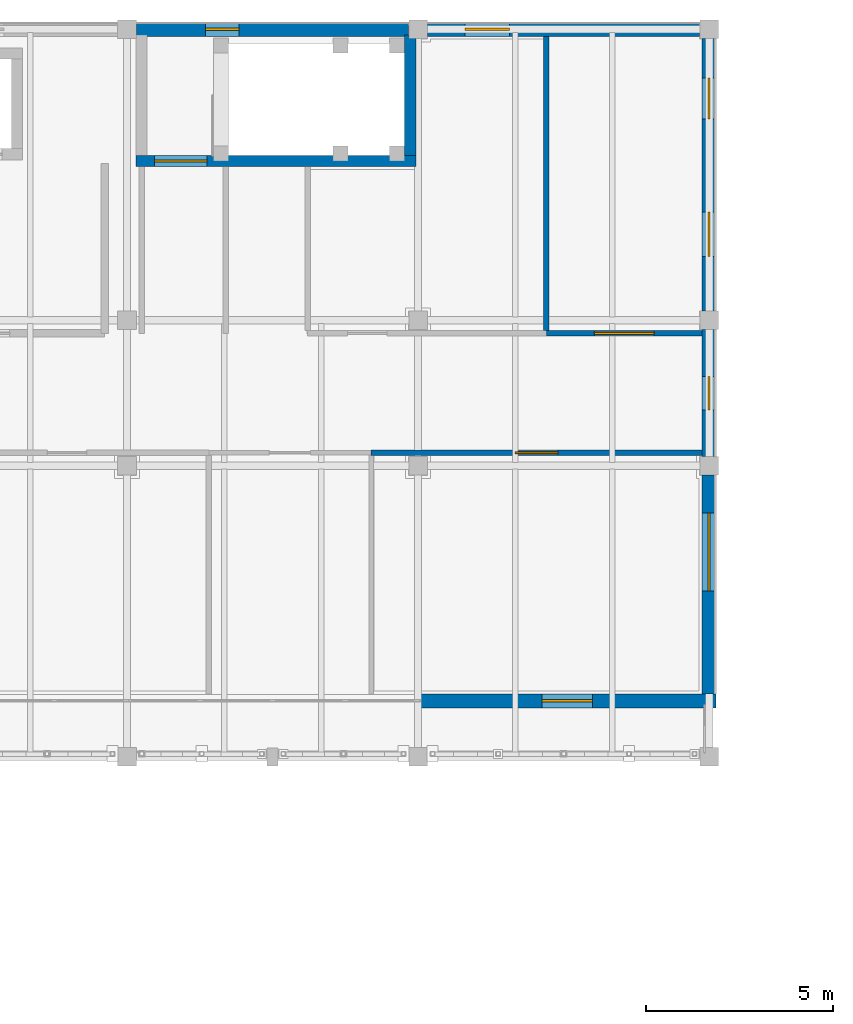
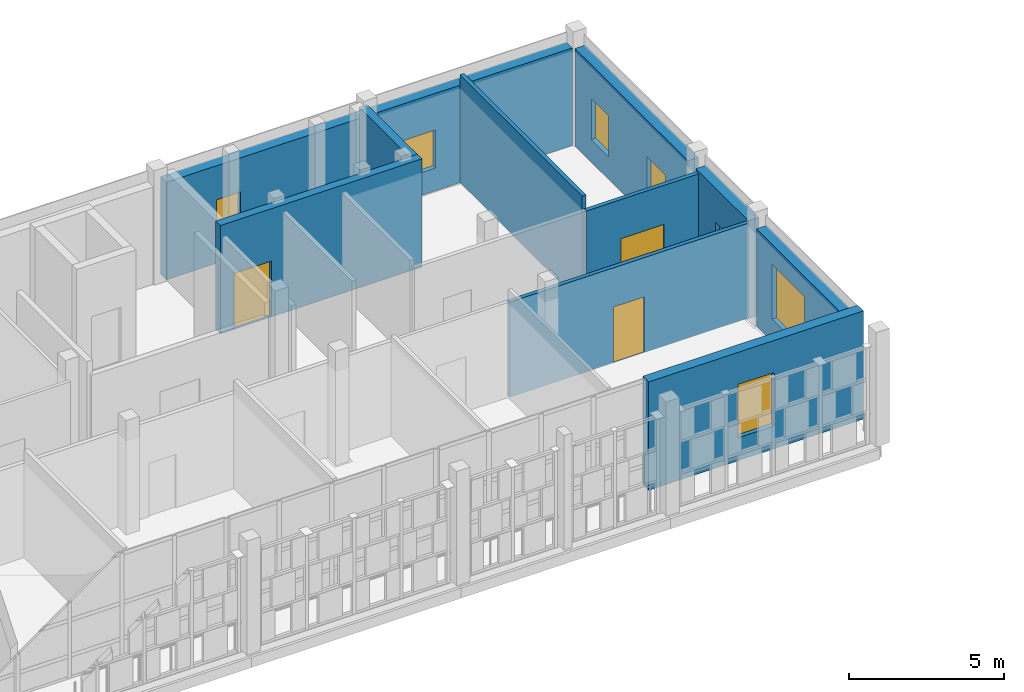
# One storey, part 72 of 89: 11 walls, 7 windows, 3 doors, 10 openings.
"""IFC4 building model written with IfcOpenShell, lengths in metres."""

from ifc_helpers import new_model, si_unit, direction, frame, frame_2d, origin, place, context, subcontext, project, spatial, rectangle, extrude, material, layer, layer_set, type_object, element, fill, save


model = new_model("IFC4")

# Units and contexts
model_context = context("Model", 3, precision=1e-05, world=origin(), true_north=direction((0.0, 1.0)))
body_context = subcontext(model_context, "Body", "Model", "MODEL_VIEW")
ifc_project = project(units=[si_unit("LENGTHUNIT", "METRE"), si_unit("AREAUNIT", "SQUARE_METRE"), si_unit("VOLUMEUNIT", "CUBIC_METRE"), si_unit("PLANEANGLEUNIT", "RADIAN"), si_unit("MASSUNIT", "GRAM", prefix="KILO")], contexts=[model_context])

# Site, building, storey
site_placement = place(None, origin())
site = spatial("IfcSite", under=ifc_project, at=site_placement, CompositionType="ELEMENT")
building_placement = place(site_placement, origin())
building = spatial("IfcBuilding", under=site, at=building_placement, Name="Celorna Specialist Clinic", CompositionType="ELEMENT")
storey_placement = place(building_placement, frame((0.0, 0.0, 14.10009765625)))
storey = spatial("IfcBuildingStorey", under=building, at=storey_placement, Name="L03", CompositionType="ELEMENT", Elevation=14.10009765625)

# Wall, opening, window
ifc_material_1 = material(Name="Terracotta masonry with insulated cavity", Category="masonry")
ifc_layer_1 = layer(ifc_material_1, 0.3798828125, Name="Terracotta masonry with insulated cavity")
ifc_layer_set_1 = layer_set([ifc_layer_1], Name="Terracotta masonry with insulated cavity")
wall_type_1 = type_object("IfcWallType", Name="WT-06", PredefinedType="STANDARD", material=ifc_layer_set_1)
wall_1_placement = place(storey_placement, frame((132.7900390625, 98.0, 0.0), z_axis=(0.0, 0.0, 1.0), x_axis=(-1.0, 0.0, 0.0)))
wall_1 = element("IfcWall", 1, at=wall_1_placement, inside=storey, type_object=wall_type_1, Name="External facade wall WT-06 #256", PredefinedType="STANDARD", context=body_context, shape_type="SweptSolid", body=[
    extrude(rectangle(XDim=7.989990234375, YDim=0.3798828125, at=frame_2d((3.9951171875, 0.0))), origin(), (0.0, 0.0, 1.0), 4.260009765625),
])
opening_1_placement = place(wall_1_placement, frame((3.320068359375, 0.0, 0.89990234375)))
opening_1 = element("IfcOpeningElement", 2, at=opening_1_placement, cuts=wall_1, Name="Opening WN-23", PredefinedType="OPENING", context=body_context, shape_type="SweptSolid", body=[
    extrude(rectangle(XDim=1.35009765625, YDim=2.10009765625, at=frame_2d((0.675048828125, 1.050048828125))), frame((0.0, 0.199951171875, 0.0), z_axis=(0.0, -1.0, 0.0), x_axis=(1.0, 0.0, 0.0)), (0.0, 0.0, 1.0), 0.39990234375),
])
ifc_material_2 = material(Name="Thermally broken aluminium triple-glazed window", Category="aluminium")
window_type_1 = type_object("IfcWindowType", Name="WN-23", PartitioningType="SINGLE_PANEL", PredefinedType="WINDOW", material=ifc_material_2)
window_1_placement = place(opening_1_placement, origin())
window_1 = element("IfcWindow", 3, at=window_1_placement, inside=storey, type_object=window_type_1, Name="Facade window WN-23 #135", OverallHeight=2.10009765625, OverallWidth=1.35009765625, PartitioningType="SINGLE_PANEL", PredefinedType="WINDOW", context=body_context, shape_type="SweptSolid", body=[
    extrude(rectangle(XDim=1.35009765625, YDim=2.10009765625, at=frame_2d((0.675048828125, 1.050048828125))), frame((0.0, 0.030029296875, 0.0), z_axis=(0.0, -1.0, 0.0), x_axis=(1.0, 0.0, 0.0)), (0.0, 0.0, 1.0), 0.06005859375),
])
fill(opening_1, window_1)

wall_2_placement = place(storey_placement, frame((117.25, 116.0, 0.0), z_axis=(0.0, 0.0, 1.0), x_axis=(1.0, 0.0, 0.0)))
wall_2 = element("IfcWall", 4, at=wall_2_placement, inside=storey, type_object=wall_type_1, Name="External facade wall WT-06 #266", PredefinedType="STANDARD", context=body_context, shape_type="SweptSolid", body=[
    extrude(rectangle(XDim=7.300048828125, YDim=0.3798828125, at=frame_2d((3.64990234375, 0.0))), origin(), (0.0, 0.0, 1.0), 3.83984375),
])
opening_2_placement = place(wall_2_placement, frame((1.85498046875, 0.0, 0.89990234375)))
opening_2 = element("IfcOpeningElement", 5, at=opening_2_placement, cuts=wall_2, Name="Opening WN-01", PredefinedType="OPENING", context=body_context, shape_type="SweptSolid", body=[
    extrude(rectangle(XDim=0.89990234375, YDim=1.60009765625, at=frame_2d((0.449951171875, 0.800048828125))), frame((0.0, 0.199951171875, 0.0), z_axis=(0.0, -1.0, 0.0), x_axis=(1.0, 0.0, 0.0)), (0.0, 0.0, 1.0), 0.39990234375),
])
window_type_2 = type_object("IfcWindowType", Name="WN-01", PartitioningType="SINGLE_PANEL", PredefinedType="WINDOW", material=ifc_material_2)
window_2_placement = place(opening_2_placement, origin())
window_2 = element("IfcWindow", 6, at=window_2_placement, inside=storey, type_object=window_type_2, Name="Facade window WN-01 #144", OverallHeight=1.60009765625, OverallWidth=0.89990234375, PartitioningType="SINGLE_PANEL", PredefinedType="WINDOW", context=body_context, shape_type="SweptSolid", body=[
    extrude(rectangle(XDim=0.89990234375, YDim=1.60009765625, at=frame_2d((0.449951171875, 0.800048828125))), frame((0.0, 0.030029296875, 0.0), z_axis=(0.0, -1.0, 0.0), x_axis=(1.0, 0.0, 0.0)), (0.0, 0.0, 1.0), 0.06005859375),
])
fill(opening_2, window_2)

wall_3_placement = place(storey_placement, frame((125.050048828125, 116.0, 0.0), z_axis=(0.0, 0.0, 1.0), x_axis=(1.0, 0.0, 0.0)))
wall_3 = element("IfcWall", 7, at=wall_3_placement, inside=storey, type_object=wall_type_1, Name="External facade wall WT-06 #267", PredefinedType="STANDARD", context=body_context, shape_type="SweptSolid", body=[
    extrude(rectangle(XDim=7.300048828125, YDim=0.3798828125, at=frame_2d((3.64990234375, 0.0))), origin(), (0.0, 0.0, 1.0), 3.83984375),
])
opening_3_placement = place(wall_3_placement, frame((1.0048828125, 0.0, 0.89990234375)))
opening_3 = element("IfcOpeningElement", 8, at=opening_3_placement, cuts=wall_3, Name="Opening WN-04", PredefinedType="OPENING", context=body_context, shape_type="SweptSolid", body=[
    extrude(rectangle(XDim=1.199951171875, YDim=1.5, at=frame_2d((0.60009765625, 0.75))), frame((0.0, 0.199951171875, 0.0), z_axis=(0.0, -1.0, 0.0), x_axis=(1.0, 0.0, 0.0)), (0.0, 0.0, 1.0), 0.39990234375),
])
window_type_3 = type_object("IfcWindowType", Name="WN-04", PartitioningType="SINGLE_PANEL", PredefinedType="WINDOW", material=ifc_material_2)
window_3_placement = place(opening_3_placement, origin())
window_3 = element("IfcWindow", 9, at=window_3_placement, inside=storey, type_object=window_type_3, Name="Facade window WN-04 #145", OverallHeight=1.5, OverallWidth=1.199951171875, PartitioningType="SINGLE_PANEL", PredefinedType="WINDOW", context=body_context, shape_type="SweptSolid", body=[
    extrude(rectangle(XDim=1.199951171875, YDim=1.5, at=frame_2d((0.60009765625, 0.75))), frame((0.0, 0.030029296875, 0.0), z_axis=(0.0, -1.0, 0.0), x_axis=(1.0, 0.0, 0.0)), (0.0, 0.0, 1.0), 0.06005859375),
])
fill(opening_3, window_3)

wall_4_placement = place(storey_placement, frame((132.60009765625, 104.050048828125, 0.0), z_axis=(0.0, 0.0, 1.0), x_axis=(0.0, -1.0, 0.0)))
wall_4 = element("IfcWall", 10, at=wall_4_placement, inside=storey, type_object=wall_type_1, Name="External facade wall WT-06 #271", PredefinedType="STANDARD", context=body_context, shape_type="SweptSolid", body=[
    extrude(rectangle(XDim=5.860107421875, YDim=0.3798828125, at=frame_2d((2.93017578125, 0.0))), origin(), (0.0, 0.0, 1.0), 3.83984375),
])
opening_4_placement = place(wall_4_placement, frame((1.010009765625, 0.0, 0.89990234375)))
opening_4 = element("IfcOpeningElement", 11, at=opening_4_placement, cuts=wall_4, Name="Opening WN-27", PredefinedType="OPENING", context=body_context, shape_type="SweptSolid", body=[
    extrude(rectangle(XDim=2.10009765625, YDim=2.14990234375, at=frame_2d((1.050048828125, 1.074951171875))), frame((0.0, 0.199951171875, 0.0), z_axis=(0.0, -1.0, 0.0), x_axis=(1.0, 0.0, 0.0)), (0.0, 0.0, 1.0), 0.39990234375),
])
window_type_4 = type_object("IfcWindowType", Name="WN-27", PartitioningType="SINGLE_PANEL", PredefinedType="WINDOW", material=ifc_material_2)
window_4_placement = place(opening_4_placement, origin())
window_4 = element("IfcWindow", 12, at=window_4_placement, inside=storey, type_object=window_type_4, Name="Facade window WN-27 #149", OverallHeight=2.14990234375, OverallWidth=2.10009765625, PartitioningType="SINGLE_PANEL", PredefinedType="WINDOW", context=body_context, shape_type="SweptSolid", body=[
    extrude(rectangle(XDim=2.10009765625, YDim=2.14990234375, at=frame_2d((1.050048828125, 1.074951171875))), frame((0.0, 0.030029296875, 0.0), z_axis=(0.0, -1.0, 0.0), x_axis=(1.0, 0.0, 0.0)), (0.0, 0.0, 1.0), 0.06005859375),
])
fill(opening_4, window_4)

wall_5_placement = place(storey_placement, frame((132.60009765625, 107.949951171875, 0.0), z_axis=(0.0, 0.0, 1.0), x_axis=(0.0, -1.0, 0.0)))
wall_5 = element("IfcWall", 13, at=wall_5_placement, inside=storey, type_object=wall_type_1, Name="External facade wall WT-06 #272", PredefinedType="STANDARD", context=body_context, shape_type="SweptSolid", body=[
    extrude(rectangle(XDim=3.39990234375, YDim=0.3798828125, at=frame_2d((1.699951171875, 0.0))), origin(), (0.0, 0.0, 1.0), 3.83984375),
])
opening_5_placement = place(wall_5_placement, frame((1.25, 0.0, 0.89990234375)))
opening_5 = element("IfcOpeningElement", 14, at=opening_5_placement, cuts=wall_5, Name="Opening WN-01", PredefinedType="OPENING", context=body_context, shape_type="SweptSolid", body=[
    extrude(rectangle(XDim=0.89990234375, YDim=1.60009765625, at=frame_2d((0.449951171875, 0.800048828125))), frame((0.0, 0.199951171875, 0.0), z_axis=(0.0, -1.0, 0.0), x_axis=(1.0, 0.0, 0.0)), (0.0, 0.0, 1.0), 0.39990234375),
])
window_5_placement = place(opening_5_placement, origin())
window_5 = element("IfcWindow", 15, at=window_5_placement, inside=storey, type_object=window_type_2, Name="Facade window WN-01 #150", OverallHeight=1.60009765625, OverallWidth=0.89990234375, PartitioningType="SINGLE_PANEL", PredefinedType="WINDOW", context=body_context, shape_type="SweptSolid", body=[
    extrude(rectangle(XDim=0.89990234375, YDim=1.60009765625, at=frame_2d((0.449951171875, 0.800048828125))), frame((0.0, 0.030029296875, 0.0), z_axis=(0.0, -1.0, 0.0), x_axis=(1.0, 0.0, 0.0)), (0.0, 0.0, 1.0), 0.06005859375),
])
fill(opening_5, window_5)

# Wall, openings, windows
wall_6_placement = place(storey_placement, frame((132.60009765625, 115.75, 0.0), z_axis=(0.0, 0.0, 1.0), x_axis=(0.0, -1.0, 0.0)))
wall_6 = element("IfcWall", 16, at=wall_6_placement, inside=storey, type_object=wall_type_1, Name="External facade wall WT-06 #273", PredefinedType="STANDARD", context=body_context, shape_type="SweptSolid", body=[
    extrude(rectangle(XDim=7.300048828125, YDim=0.3798828125, at=frame_2d((3.64990234375, 0.0))), origin(), (0.0, 0.0, 1.0), 3.83984375),
])
opening_6_placement = place(wall_6_placement, frame((1.06005859375, 0.0, 0.89990234375)))
opening_6 = element("IfcOpeningElement", 17, at=opening_6_placement, cuts=wall_6, Name="Opening WN-03", PredefinedType="OPENING", context=body_context, shape_type="SweptSolid", body=[
    extrude(rectangle(XDim=1.10009765625, YDim=1.60009765625, at=frame_2d((0.550048828125, 0.800048828125))), frame((0.0, 0.199951171875, 0.0), z_axis=(0.0, -1.0, 0.0), x_axis=(1.0, 0.0, 0.0)), (0.0, 0.0, 1.0), 0.39990234375),
])
opening_7_placement = place(wall_6_placement, frame((4.639892578125, 0.0, 0.89990234375)))
opening_7 = element("IfcOpeningElement", 18, at=opening_7_placement, cuts=wall_6, Name="Opening WN-04", PredefinedType="OPENING", context=body_context, shape_type="SweptSolid", body=[
    extrude(rectangle(XDim=1.199951171875, YDim=1.5, at=frame_2d((0.60009765625, 0.75))), frame((0.0, 0.199951171875, 0.0), z_axis=(0.0, -1.0, 0.0), x_axis=(1.0, 0.0, 0.0)), (0.0, 0.0, 1.0), 0.39990234375),
])
window_type_5 = type_object("IfcWindowType", Name="WN-03", PartitioningType="SINGLE_PANEL", PredefinedType="WINDOW", material=ifc_material_2)
window_6_placement = place(opening_6_placement, origin())
window_6 = element("IfcWindow", 19, at=window_6_placement, inside=storey, type_object=window_type_5, Name="Facade window WN-03 #151", OverallHeight=1.60009765625, OverallWidth=1.10009765625, PartitioningType="SINGLE_PANEL", PredefinedType="WINDOW", context=body_context, shape_type="SweptSolid", body=[
    extrude(rectangle(XDim=1.10009765625, YDim=1.60009765625, at=frame_2d((0.550048828125, 0.800048828125))), frame((0.0, 0.030029296875, 0.0), z_axis=(0.0, -1.0, 0.0), x_axis=(1.0, 0.0, 0.0)), (0.0, 0.0, 1.0), 0.06005859375),
])
fill(opening_6, window_6)
window_7_placement = place(opening_7_placement, origin())
window_7 = element("IfcWindow", 20, at=window_7_placement, inside=storey, type_object=window_type_3, Name="Facade window WN-04 #152", OverallHeight=1.5, OverallWidth=1.199951171875, PartitioningType="SINGLE_PANEL", PredefinedType="WINDOW", context=body_context, shape_type="SweptSolid", body=[
    extrude(rectangle(XDim=1.199951171875, YDim=1.5, at=frame_2d((0.60009765625, 0.75))), frame((0.0, 0.030029296875, 0.0), z_axis=(0.0, -1.0, 0.0), x_axis=(1.0, 0.0, 0.0)), (0.0, 0.0, 1.0), 0.06005859375),
])
fill(opening_7, window_7)

# Wall, opening, door
ifc_material_3 = material(Name="Concrete C35/45", Category="concrete")
ifc_layer_2 = layer(ifc_material_3, 0.300048828125, Name="Concrete C35/45")
ifc_layer_set_2 = layer_set([ifc_layer_2], Name="Concrete C35/45")
wall_type_2 = type_object("IfcWallType", Name="WT-08", PredefinedType="SHEAR", material=ifc_layer_set_2)
wall_7_placement = place(storey_placement, frame((117.239990234375, 112.469970703125, 0.0), z_axis=(0.0, 0.0, 1.0), x_axis=(1.0, 0.0, 0.0)))
wall_7 = element("IfcWall", 21, at=wall_7_placement, inside=storey, type_object=wall_type_2, Name="Stair ST-03 RC core wall L03 south", PredefinedType="SHEAR", context=body_context, shape_type="SweptSolid", body=[
    extrude(rectangle(XDim=7.5, YDim=0.300048828125, at=frame_2d((3.75, 0.0))), origin(), (0.0, 0.0, 1.0), 4.260009765625),
])
opening_8_placement = place(wall_7_placement, frame((0.5, 0.0, 0.0)))
opening_8 = element("IfcOpeningElement", 22, at=opening_8_placement, cuts=wall_7, Name="Opening DR-10", PredefinedType="OPENING", context=body_context, shape_type="SweptSolid", body=[
    extrude(rectangle(XDim=1.39990234375, YDim=2.199951171875, at=frame_2d((0.699951171875, 1.10009765625))), frame((0.0, 0.159912109375, 0.0), z_axis=(0.0, -1.0, 0.0), x_axis=(1.0, 0.0, 0.0)), (0.0, 0.0, 1.0), 0.320068359375),
])
ifc_material_4 = material(Name="Protected exit stair fire door")
door_type_1 = type_object("IfcDoorType", Name="DR-10", OperationType="NOTDEFINED", PredefinedType="DOOR", material=ifc_material_4)
door_1_placement = place(opening_8_placement, origin())
door_1 = element("IfcDoor", 23, at=door_1_placement, inside=storey, type_object=door_type_1, Name="Protected exit stair door ST-03 L03", OperationType="SINGLE_SWING_LEFT", OverallHeight=2.199951171875, OverallWidth=1.39990234375, PredefinedType="DOOR", context=body_context, shape_type="SweptSolid", body=[
    extrude(rectangle(XDim=1.39990234375, YDim=2.199951171875, at=frame_2d((0.699951171875, 1.10009765625))), frame((0.0, 0.02490234375, 0.0), z_axis=(0.0, -1.0, 0.0), x_axis=(1.0, 0.0, 0.0)), (0.0, 0.0, 1.0), 0.050048828125),
])
fill(opening_8, door_1)

# Wall
wall_8_placement = place(storey_placement, frame((124.590087890625, 112.6201171875, 0.0), z_axis=(0.0, 0.0, 1.0), x_axis=(0.0, 1.0, 0.0)))
element("IfcWall", 24, at=wall_8_placement, inside=storey, type_object=wall_type_2, Name="Stair ST-03 RC core wall L03 east", PredefinedType="SHEAR", context=body_context, shape_type="SweptSolid", body=[
    extrude(rectangle(XDim=3.22998046875, YDim=0.300048828125, at=frame_2d((1.614990234375, 0.0))), origin(), (0.0, 0.0, 1.0), 4.260009765625),
])

# Wall, opening, door
ifc_material_5 = material(Name="Fire-rated gypsum board partition")
ifc_layer_3 = layer(ifc_material_5, 0.14990234375, Name="Fire-rated gypsum board partition")
ifc_layer_set_3 = layer_set([ifc_layer_3], Name="Fire-rated gypsum board partition")
wall_type_3 = type_object("IfcWallType", Name="WT-14", PredefinedType="PARTITIONING", material=ifc_layer_set_3)
wall_9_placement = place(storey_placement, frame((132.409912109375, 104.64990234375, 0.0), z_axis=(0.0, 0.0, 1.0), x_axis=(-1.0, 0.0, 0.0)))
wall_9 = element("IfcWall", 25, at=wall_9_placement, inside=storey, type_object=wall_type_3, Name="Interior partition WT-14 L03-026", PredefinedType="PARTITIONING", context=body_context, shape_type="SweptSolid", body=[
    extrude(rectangle(XDim=8.869873046875, YDim=0.14990234375, at=frame_2d((4.43505859375, 0.0))), origin(), (0.0, 0.0, 1.0), 3.739990234375),
])
opening_9_placement = place(wall_9_placement, frame((3.860107421875, 0.0, 0.0)))
opening_9 = element("IfcOpeningElement", 26, at=opening_9_placement, cuts=wall_9, Name="Opening DR-07", PredefinedType="OPENING", context=body_context, shape_type="SweptSolid", body=[
    extrude(rectangle(XDim=1.14990234375, YDim=2.199951171875, at=frame_2d((0.574951171875, 1.10009765625))), frame((0.0, 0.0849609375, 0.0), z_axis=(0.0, -1.0, 0.0), x_axis=(1.0, 0.0, 0.0)), (0.0, 0.0, 1.0), 0.169921875),
])
ifc_material_6 = material(Name="Hermetic cleanroom airlock door")
door_type_2 = type_object("IfcDoorType", Name="DR-07", OperationType="NOTDEFINED", PredefinedType="DOOR", material=ifc_material_6)
door_2_placement = place(opening_9_placement, origin())
door_2 = element("IfcDoor", 27, at=door_2_placement, inside=storey, type_object=door_type_2, Name="Consulting Room door L03-026", OperationType="SINGLE_SWING_RIGHT", OverallHeight=2.199951171875, OverallWidth=1.14990234375, PredefinedType="DOOR", context=body_context, shape_type="SweptSolid", body=[
    extrude(rectangle(XDim=1.14990234375, YDim=2.199951171875, at=frame_2d((0.574951171875, 1.10009765625))), frame((0.0, 0.02490234375, 0.0), z_axis=(0.0, -1.0, 0.0), x_axis=(1.0, 0.0, 0.0)), (0.0, 0.0, 1.0), 0.050048828125),
])
fill(opening_9, door_2)

wall_10_placement = place(storey_placement, frame((128.239990234375, 107.85009765625, 0.0), z_axis=(0.0, 0.0, 1.0), x_axis=(1.0, 0.0, 0.0)))
wall_10 = element("IfcWall", 28, at=wall_10_placement, inside=storey, type_object=wall_type_3, Name="Interior partition WT-14 L03-037", PredefinedType="PARTITIONING", context=body_context, shape_type="SweptSolid", body=[
    extrude(rectangle(XDim=4.169921875, YDim=0.14990234375, at=frame_2d((2.0849609375, 0.0))), origin(), (0.0, 0.0, 1.0), 3.739990234375),
])
opening_10_placement = place(wall_10_placement, frame((1.284912109375, 0.0, 0.0)))
opening_10 = element("IfcOpeningElement", 29, at=opening_10_placement, cuts=wall_10, Name="Opening DR-12", PredefinedType="OPENING", context=body_context, shape_type="SweptSolid", body=[
    extrude(rectangle(XDim=1.60009765625, YDim=2.199951171875, at=frame_2d((0.800048828125, 1.10009765625))), frame((0.0, 0.0849609375, 0.0), z_axis=(0.0, -1.0, 0.0), x_axis=(1.0, 0.0, 0.0)), (0.0, 0.0, 1.0), 0.169921875),
])
ifc_material_7 = material(Name="Corridor cross-compartment pair door")
door_type_3 = type_object("IfcDoorType", Name="DR-12", OperationType="DOUBLE_DOOR_SINGLE_SWING", PredefinedType="DOOR", material=ifc_material_7)
door_3_placement = place(opening_10_placement, origin())
door_3 = element("IfcDoor", 30, at=door_3_placement, inside=storey, type_object=door_type_3, Name="Outpatient Waiting Lounge door L03-037", OperationType="DOUBLE_DOOR_SINGLE_SWING", OverallHeight=2.199951171875, OverallWidth=1.60009765625, PredefinedType="DOOR", context=body_context, shape_type="SweptSolid", body=[
    extrude(rectangle(XDim=1.60009765625, YDim=2.199951171875, at=frame_2d((0.800048828125, 1.10009765625))), frame((0.0, 0.02490234375, 0.0), z_axis=(0.0, -1.0, 0.0), x_axis=(1.0, 0.0, 0.0)), (0.0, 0.0, 1.0), 0.050048828125),
])
fill(opening_10, door_3)

# Wall
wall_11_placement = place(storey_placement, frame((128.239990234375, 107.925048828125, 0.0), z_axis=(0.0, 0.0, 1.0), x_axis=(0.0, 1.0, 0.0)))
element("IfcWall", 31, at=wall_11_placement, inside=storey, type_object=wall_type_3, Name="Room dividing partition WT-14 L03-036", PredefinedType="PARTITIONING", context=body_context, shape_type="SweptSolid", body=[
    extrude(rectangle(XDim=7.885009765625, YDim=0.14990234375, at=frame_2d((3.9423828125, 0.0))), origin(), (0.0, 0.0, 1.0), 4.260009765625),
])

save(model, "model.ifc")
